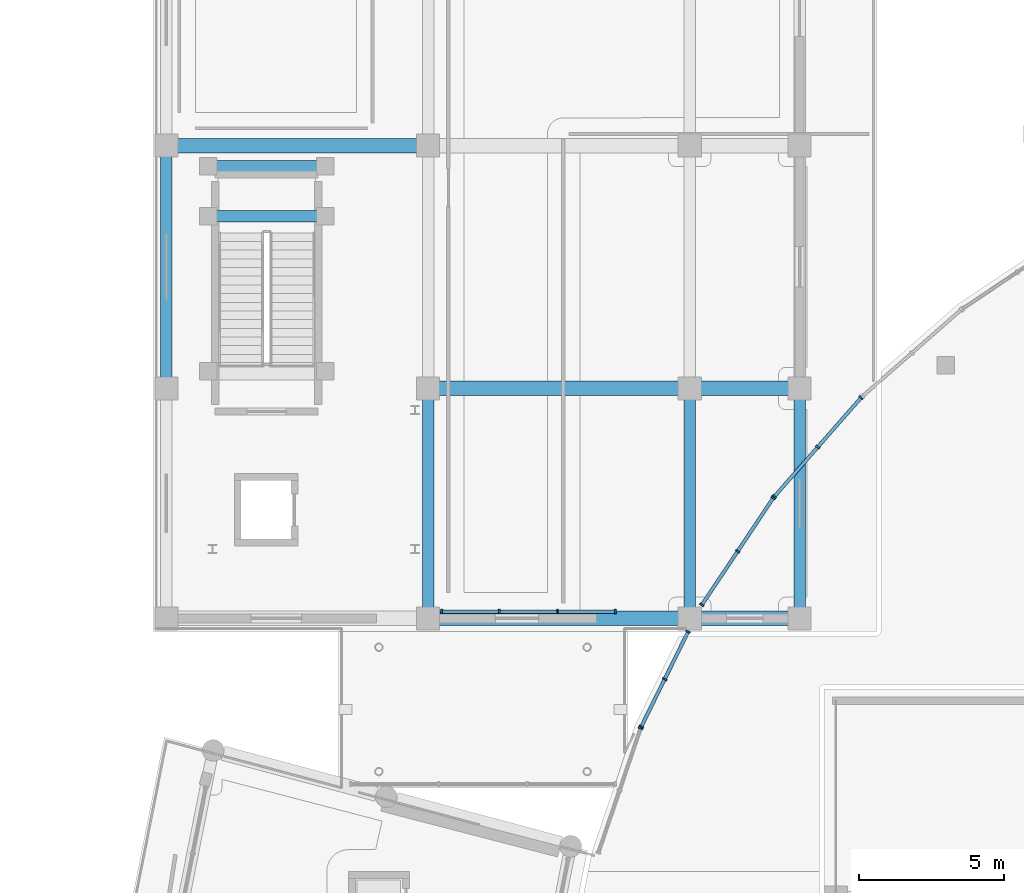
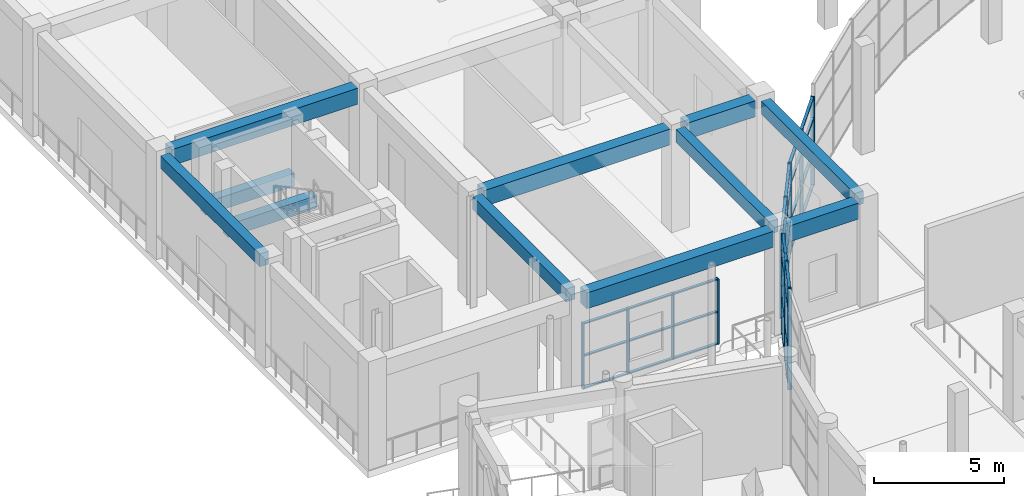
# One storey, part 35 of 99: 47 members, 11 beams, 5 elements without a shape of their own.
"""IFC4 building model written with IfcOpenShell, lengths in metres."""

from ifc_helpers import new_model, si_unit, direction, frame, origin, origin_2d, place, context, subcontext, project, spatial, rectangle, extrude, material, material_profile, profile_set, type_object, element, aggregate, save


model = new_model("IFC4")

# Units and contexts
model_context = context("Model", 3, precision=1e-05, world=origin(), true_north=direction((0.0, 1.0)))
body_context = subcontext(model_context, "Body", "Model", "MODEL_VIEW")
ifc_project = project(units=[si_unit("LENGTHUNIT", "METRE"), si_unit("AREAUNIT", "SQUARE_METRE"), si_unit("VOLUMEUNIT", "CUBIC_METRE"), si_unit("PLANEANGLEUNIT", "RADIAN"), si_unit("MASSUNIT", "GRAM", prefix="KILO")], contexts=[model_context])

# Site, building, storey
site_placement = place(None, origin())
site = spatial("IfcSite", under=ifc_project, at=site_placement, CompositionType="ELEMENT")
building_placement = place(site_placement, origin())
building = spatial("IfcBuilding", under=site, at=building_placement, Name="Saryqyr Civic Hall", CompositionType="ELEMENT")
storey_placement = place(building_placement, origin())
storey = spatial("IfcBuildingStorey", under=building, at=storey_placement, Name="L00", CompositionType="ELEMENT", Elevation=0.0)

# Curtain wall, members
ifc_material_1 = material(Name="Anodised aluminium and triple low-E glass", Category="aluminium")
curtain_wall_type_1 = type_object("IfcCurtainWallType", Name="ENV-CW-STD-32", PredefinedType="NOTDEFINED", material=ifc_material_1)
curtain_wall_1_placement = place(storey_placement, origin())
curtain_wall_1 = element("IfcCurtainWall", 1, at=curtain_wall_1_placement, inside=storey, type_object=curtain_wall_type_1, Name="Curtain wall V2-PERIM-CW-L00-18", PredefinedType="NOTDEFINED")
ifc_material_2 = material(Name="Anodised aluminium", Category="aluminium")
ifc_material_profile_1 = material_profile(ifc_material_2, rectangle(XDim=0.06005859375, YDim=0.159912109375, at=origin_2d()), Name="ALU MULLION 60x160")
ifc_profile_set_1 = profile_set([ifc_material_profile_1], Name="Anodised aluminium")
member_type_1 = type_object("IfcMemberType", Name="ENV-CW-MUL-180", PredefinedType="MULLION", material=ifc_profile_set_1)
member_1_placement = place(storey_placement, frame((29.077880859375, 105.463134765625, 0.0), z_axis=(0.0, 0.0, 1.0), x_axis=(0.659347854951, 0.751838018573, 0.0)))
member_1 = element("IfcMember", 2, at=member_1_placement, type_object=member_type_1, Name="CW-32 mullion 1", PredefinedType="MULLION", context=body_context, shape_type="SweptSolid", body=[
    extrude(rectangle(XDim=0.06005859375, YDim=0.159912109375, at=origin_2d()), origin(), (0.0, 0.0, 1.0), 4.195068359375),
])
member_2_placement = place(storey_placement, frame((30.576904296875, 107.17236328125, 0.0), z_axis=(0.0, 0.0, 1.0), x_axis=(0.659347854951, 0.751838018573, 0.0)))
member_2 = element("IfcMember", 3, at=member_2_placement, type_object=member_type_1, Name="CW-32 mullion 2", PredefinedType="MULLION", context=body_context, shape_type="SweptSolid", body=[
    extrude(rectangle(XDim=0.06005859375, YDim=0.159912109375, at=origin_2d()), origin(), (0.0, 0.0, 1.0), 4.195068359375),
])
member_3_placement = place(storey_placement, frame((32.075927734375, 108.8818359375, 0.0), z_axis=(0.0, 0.0, 1.0), x_axis=(0.659347854951, 0.751838018573, 0.0)))
member_3 = element("IfcMember", 4, at=member_3_placement, type_object=member_type_1, Name="CW-32 mullion 3", PredefinedType="MULLION", context=body_context, shape_type="SweptSolid", body=[
    extrude(rectangle(XDim=0.06005859375, YDim=0.159912109375, at=origin_2d()), origin(), (0.0, 0.0, 1.0), 4.195068359375),
])

curtain_wall_type_2 = type_object("IfcCurtainWallType", Name="ENV-CW-STD-12", PredefinedType="NOTDEFINED", material=ifc_material_1)
curtain_wall_2_placement = place(storey_placement, origin())
curtain_wall_2 = element("IfcCurtainWall", 5, at=curtain_wall_2_placement, inside=storey, type_object=curtain_wall_type_2, Name="Curtain wall V2-PERIM-CW-L00-19", PredefinedType="NOTDEFINED")
member_4_placement = place(storey_placement, frame((26.56884765625, 101.71484375, 0.0), z_axis=(0.0, 0.0, 1.0), x_axis=(0.55555938193, 0.831476862666, 0.0)))
member_4 = element("IfcMember", 6, at=member_4_placement, type_object=member_type_1, Name="CW-12 mullion 1", PredefinedType="MULLION", context=body_context, shape_type="SweptSolid", body=[
    extrude(rectangle(XDim=0.06005859375, YDim=0.159912109375, at=origin_2d()), origin(), (0.0, 0.0, 1.0), 4.195068359375),
])
member_5_placement = place(storey_placement, frame((27.80517578125, 103.565185546875, 0.0), z_axis=(0.0, 0.0, 1.0), x_axis=(0.55555938193, 0.831476862666, 0.0)))
member_5 = element("IfcMember", 7, at=member_5_placement, type_object=member_type_1, Name="CW-12 mullion 2", PredefinedType="MULLION", context=body_context, shape_type="SweptSolid", body=[
    extrude(rectangle(XDim=0.06005859375, YDim=0.159912109375, at=origin_2d()), origin(), (0.0, 0.0, 1.0), 4.195068359375),
])
member_6_placement = place(storey_placement, frame((29.04150390625, 105.415771484375, 0.0), z_axis=(0.0, 0.0, 1.0), x_axis=(0.55555938193, 0.831476862666, 0.0)))
member_6 = element("IfcMember", 8, at=member_6_placement, type_object=member_type_1, Name="CW-12 mullion 3", PredefinedType="MULLION", context=body_context, shape_type="SweptSolid", body=[
    extrude(rectangle(XDim=0.06005859375, YDim=0.159912109375, at=origin_2d()), origin(), (0.0, 0.0, 1.0), 4.195068359375),
])

curtain_wall_type_3 = type_object("IfcCurtainWallType", Name="ENV-CW-STD-43", PredefinedType="NOTDEFINED", material=ifc_material_1)
curtain_wall_3_placement = place(storey_placement, origin())
curtain_wall_3 = element("IfcCurtainWall", 9, at=curtain_wall_3_placement, inside=storey, type_object=curtain_wall_type_3, Name="Curtain wall V2-PERIM-CW-L00-20", PredefinedType="NOTDEFINED")
member_7_placement = place(storey_placement, frame((24.474365234375, 97.505126953125, 0.0), z_axis=(0.0, 0.0, 1.0), x_axis=(0.442286255428, 0.896873942235, 0.0)))
member_7 = element("IfcMember", 10, at=member_7_placement, type_object=member_type_1, Name="CW-43 mullion 1", PredefinedType="MULLION", context=body_context, shape_type="SweptSolid", body=[
    extrude(rectangle(XDim=0.06005859375, YDim=0.159912109375, at=origin_2d()), origin(), (0.0, 0.0, 1.0), 4.75),
])
member_8_placement = place(storey_placement, frame((25.282470703125, 99.14404296875, 0.0), z_axis=(0.0, 0.0, 1.0), x_axis=(0.442286255428, 0.896873942235, 0.0)))
member_8 = element("IfcMember", 11, at=member_8_placement, type_object=member_type_1, Name="CW-43 mullion 2", PredefinedType="MULLION", context=body_context, shape_type="SweptSolid", body=[
    extrude(rectangle(XDim=0.06005859375, YDim=0.159912109375, at=origin_2d()), origin(), (0.0, 0.0, 1.0), 4.75),
])
member_9_placement = place(storey_placement, frame((26.0908203125, 100.783203125, 0.0), z_axis=(0.0, 0.0, 1.0), x_axis=(0.442286255428, 0.896873942235, 0.0)))
member_9 = element("IfcMember", 12, at=member_9_placement, type_object=member_type_1, Name="CW-43 mullion 3", PredefinedType="MULLION", context=body_context, shape_type="SweptSolid", body=[
    extrude(rectangle(XDim=0.06005859375, YDim=0.159912109375, at=origin_2d()), origin(), (0.0, 0.0, 1.0), 4.75),
])

# Curtain wall, member
curtain_wall_type_4 = type_object("IfcCurtainWallType", Name="ENV-CW-STD-67", PredefinedType="NOTDEFINED", material=ifc_material_1)
curtain_wall_4_placement = place(storey_placement, origin())
curtain_wall_4 = element("IfcCurtainWall", 13, at=curtain_wall_4_placement, inside=storey, type_object=curtain_wall_type_4, Name="Curtain wall V2-PERIM-CW-L00-21", PredefinedType="NOTDEFINED")
member_10_placement = place(storey_placement, frame((24.451416015625, 97.44970703125, 0.0), z_axis=(0.0, 0.0, 1.0), x_axis=(0.321445459178, 0.946928094828, 0.0)))
member_10 = element("IfcMember", 14, at=member_10_placement, type_object=member_type_1, Name="CW-67 mullion 3", PredefinedType="MULLION", context=body_context, shape_type="SweptSolid", body=[
    extrude(rectangle(XDim=0.06005859375, YDim=0.159912109375, at=origin_2d()), origin(), (0.0, 0.0, 1.0), 4.75),
])
aggregate(curtain_wall_4, [member_10])

# Curtain wall, members
curtain_wall_type_5 = type_object("IfcCurtainWallType", Name="ENV-CW-STD-83", PredefinedType="NOTDEFINED", material=ifc_material_1)
curtain_wall_5_placement = place(storey_placement, origin())
curtain_wall_5 = element("IfcCurtainWall", 15, at=curtain_wall_5_placement, inside=storey, type_object=curtain_wall_type_5, Name="Curtain wall BR-NW-CW2-L00", PredefinedType="NOTDEFINED")
member_11_placement = place(storey_placement, frame((17.570068359375, 101.47998046875, 0.0), z_axis=(0.0, 0.0, 1.0), x_axis=(1.0, 0.0, 0.0)))
member_11 = element("IfcMember", 16, at=member_11_placement, type_object=member_type_1, Name="CW-83 mullion 1", PredefinedType="MULLION", context=body_context, shape_type="SweptSolid", body=[
    extrude(rectangle(XDim=0.06005859375, YDim=0.159912109375, at=origin_2d()), origin(), (0.0, 0.0, 1.0), 3.10009765625),
])
member_12_placement = place(storey_placement, frame((19.56005859375, 101.47998046875, 0.0), z_axis=(0.0, 0.0, 1.0), x_axis=(1.0, 0.0, 0.0)))
member_12 = element("IfcMember", 17, at=member_12_placement, type_object=member_type_1, Name="CW-83 mullion 2", PredefinedType="MULLION", context=body_context, shape_type="SweptSolid", body=[
    extrude(rectangle(XDim=0.06005859375, YDim=0.159912109375, at=origin_2d()), origin(), (0.0, 0.0, 1.0), 3.10009765625),
])
member_13_placement = place(storey_placement, frame((21.580078125, 101.47998046875, 0.0), z_axis=(0.0, 0.0, 1.0), x_axis=(1.0, 0.0, 0.0)))
member_13 = element("IfcMember", 18, at=member_13_placement, type_object=member_type_1, Name="CW-83 mullion 3", PredefinedType="MULLION", context=body_context, shape_type="SweptSolid", body=[
    extrude(rectangle(XDim=0.06005859375, YDim=0.159912109375, at=origin_2d()), origin(), (0.0, 0.0, 1.0), 3.10009765625),
])
member_14_placement = place(storey_placement, frame((23.570068359375, 101.47998046875, 0.0), z_axis=(0.0, 0.0, 1.0), x_axis=(1.0, 0.0, 0.0)))
member_14 = element("IfcMember", 19, at=member_14_placement, type_object=member_type_1, Name="CW-83 mullion 4", PredefinedType="MULLION", context=body_context, shape_type="SweptSolid", body=[
    extrude(rectangle(XDim=0.06005859375, YDim=0.159912109375, at=origin_2d()), origin(), (0.0, 0.0, 1.0), 3.10009765625),
])

# Member
ifc_material_profile_2 = material_profile(ifc_material_2, rectangle(XDim=0.1201171875, YDim=0.06005859375, at=origin_2d()), Name="ALU TRANSOM 120x60")
ifc_profile_set_2 = profile_set([ifc_material_profile_2], Name="Anodised aluminium")
member_type_2 = type_object("IfcMemberType", Name="ENV-CW-TRN-150", PredefinedType="USERDEFINED", material=ifc_profile_set_2)
member_15_placement = place(storey_placement, frame((29.09765625, 105.485595703125, 0.030029296875), z_axis=(0.659324084984, 0.751858863723, 0.0), x_axis=(-0.751858863723, 0.659324084984, 0.0)))
member_15 = element("IfcMember", 20, at=member_15_placement, type_object=member_type_2, Name="CW-32 transom 1.1", ObjectType="TRANSOM", PredefinedType="USERDEFINED", context=body_context, shape_type="SweptSolid", body=[
    extrude(rectangle(XDim=0.1201171875, YDim=0.06005859375, at=origin_2d()), origin(), (0.0, 0.0, 1.0), 2.213623046875),
])

member_16_placement = place(storey_placement, frame((29.09765625, 105.485595703125, 1.510009765625), z_axis=(0.659324084984, 0.751858863723, 0.0), x_axis=(-0.751858863723, 0.659324084984, 0.0)))
member_16 = element("IfcMember", 21, at=member_16_placement, type_object=member_type_2, Name="CW-32 transom 1.2", ObjectType="TRANSOM", PredefinedType="USERDEFINED", context=body_context, shape_type="SweptSolid", body=[
    extrude(rectangle(XDim=0.1201171875, YDim=0.06005859375, at=origin_2d()), origin(), (0.0, 0.0, 1.0), 2.213623046875),
])

member_17_placement = place(storey_placement, frame((29.09765625, 105.485595703125, 3.18798828125), z_axis=(0.659324084984, 0.751858863723, 0.0), x_axis=(-0.751858863723, 0.659324084984, 0.0)))
member_17 = element("IfcMember", 22, at=member_17_placement, type_object=member_type_2, Name="CW-32 transom 1.3", ObjectType="TRANSOM", PredefinedType="USERDEFINED", context=body_context, shape_type="SweptSolid", body=[
    extrude(rectangle(XDim=0.1201171875, YDim=0.06005859375, at=origin_2d()), origin(), (0.0, 0.0, 1.0), 2.213623046875),
])

member_18_placement = place(storey_placement, frame((29.09765625, 105.485595703125, 4.1650390625), z_axis=(0.659324084984, 0.751858863723, 0.0), x_axis=(-0.751858863723, 0.659324084984, 0.0)))
member_18 = element("IfcMember", 23, at=member_18_placement, type_object=member_type_2, Name="CW-32 transom 1.4", ObjectType="TRANSOM", PredefinedType="USERDEFINED", context=body_context, shape_type="SweptSolid", body=[
    extrude(rectangle(XDim=0.1201171875, YDim=0.06005859375, at=origin_2d()), origin(), (0.0, 0.0, 1.0), 2.213623046875),
])

member_19_placement = place(storey_placement, frame((30.5966796875, 107.195068359375, 0.030029296875), z_axis=(0.659378761453, 0.751810913025, 0.0), x_axis=(-0.751810913025, 0.659378761453, 0.0)))
member_19 = element("IfcMember", 24, at=member_19_placement, type_object=member_type_2, Name="CW-32 transom 2.1", ObjectType="TRANSOM", PredefinedType="USERDEFINED", context=body_context, shape_type="SweptSolid", body=[
    extrude(rectangle(XDim=0.1201171875, YDim=0.06005859375, at=origin_2d()), origin(), (0.0, 0.0, 1.0), 2.21337890625),
])

member_20_placement = place(storey_placement, frame((30.5966796875, 107.195068359375, 1.510009765625), z_axis=(0.659378761453, 0.751810913025, 0.0), x_axis=(-0.751810913025, 0.659378761453, 0.0)))
member_20 = element("IfcMember", 25, at=member_20_placement, type_object=member_type_2, Name="CW-32 transom 2.2", ObjectType="TRANSOM", PredefinedType="USERDEFINED", context=body_context, shape_type="SweptSolid", body=[
    extrude(rectangle(XDim=0.1201171875, YDim=0.06005859375, at=origin_2d()), origin(), (0.0, 0.0, 1.0), 2.21337890625),
])

member_21_placement = place(storey_placement, frame((30.5966796875, 107.195068359375, 3.18798828125), z_axis=(0.659378761453, 0.751810913025, 0.0), x_axis=(-0.751810913025, 0.659378761453, 0.0)))
member_21 = element("IfcMember", 26, at=member_21_placement, type_object=member_type_2, Name="CW-32 transom 2.3", ObjectType="TRANSOM", PredefinedType="USERDEFINED", context=body_context, shape_type="SweptSolid", body=[
    extrude(rectangle(XDim=0.1201171875, YDim=0.06005859375, at=origin_2d()), origin(), (0.0, 0.0, 1.0), 2.21337890625),
])

member_22_placement = place(storey_placement, frame((30.5966796875, 107.195068359375, 4.1650390625), z_axis=(0.659378761453, 0.751810913025, 0.0), x_axis=(-0.751810913025, 0.659378761453, 0.0)))
member_22 = element("IfcMember", 27, at=member_22_placement, type_object=member_type_2, Name="CW-32 transom 2.4", ObjectType="TRANSOM", PredefinedType="USERDEFINED", context=body_context, shape_type="SweptSolid", body=[
    extrude(rectangle(XDim=0.1201171875, YDim=0.06005859375, at=origin_2d()), origin(), (0.0, 0.0, 1.0), 2.21337890625),
])

aggregate(curtain_wall_1, [member_1, member_2, member_3, member_15, member_16, member_17, member_18, member_19, member_20, member_21, member_22])

member_23_placement = place(storey_placement, frame((26.58544921875, 101.739990234375, 0.030029296875), z_axis=(0.555558596258, 0.83147738762, 0.0), x_axis=(-0.83147738762, 0.555558596258, 0.0)))
member_23 = element("IfcMember", 28, at=member_23_placement, type_object=member_type_2, Name="CW-12 transom 1.1", ObjectType="TRANSOM", PredefinedType="USERDEFINED", context=body_context, shape_type="SweptSolid", body=[
    extrude(rectangle(XDim=0.1201171875, YDim=0.06005859375, at=origin_2d()), origin(), (0.0, 0.0, 1.0), 2.165283203125),
])

member_24_placement = place(storey_placement, frame((26.58544921875, 101.739990234375, 1.510009765625), z_axis=(0.555558596258, 0.83147738762, 0.0), x_axis=(-0.83147738762, 0.555558596258, 0.0)))
member_24 = element("IfcMember", 29, at=member_24_placement, type_object=member_type_2, Name="CW-12 transom 1.2", ObjectType="TRANSOM", PredefinedType="USERDEFINED", context=body_context, shape_type="SweptSolid", body=[
    extrude(rectangle(XDim=0.1201171875, YDim=0.06005859375, at=origin_2d()), origin(), (0.0, 0.0, 1.0), 2.165283203125),
])

member_25_placement = place(storey_placement, frame((26.58544921875, 101.739990234375, 3.18798828125), z_axis=(0.555558596258, 0.83147738762, 0.0), x_axis=(-0.83147738762, 0.555558596258, 0.0)))
member_25 = element("IfcMember", 30, at=member_25_placement, type_object=member_type_2, Name="CW-12 transom 1.3", ObjectType="TRANSOM", PredefinedType="USERDEFINED", context=body_context, shape_type="SweptSolid", body=[
    extrude(rectangle(XDim=0.1201171875, YDim=0.06005859375, at=origin_2d()), origin(), (0.0, 0.0, 1.0), 2.165283203125),
])

member_26_placement = place(storey_placement, frame((26.58544921875, 101.739990234375, 4.1650390625), z_axis=(0.555558596258, 0.83147738762, 0.0), x_axis=(-0.83147738762, 0.555558596258, 0.0)))
member_26 = element("IfcMember", 31, at=member_26_placement, type_object=member_type_2, Name="CW-12 transom 1.4", ObjectType="TRANSOM", PredefinedType="USERDEFINED", context=body_context, shape_type="SweptSolid", body=[
    extrude(rectangle(XDim=0.1201171875, YDim=0.06005859375, at=origin_2d()), origin(), (0.0, 0.0, 1.0), 2.165283203125),
])

member_27_placement = place(storey_placement, frame((27.82177734375, 103.59033203125, 0.030029296875), z_axis=(0.555558596258, 0.83147738762, 0.0), x_axis=(-0.83147738762, 0.555558596258, 0.0)))
member_27 = element("IfcMember", 32, at=member_27_placement, type_object=member_type_2, Name="CW-12 transom 2.1", ObjectType="TRANSOM", PredefinedType="USERDEFINED", context=body_context, shape_type="SweptSolid", body=[
    extrude(rectangle(XDim=0.1201171875, YDim=0.06005859375, at=origin_2d()), origin(), (0.0, 0.0, 1.0), 2.165283203125),
])

member_28_placement = place(storey_placement, frame((27.82177734375, 103.59033203125, 1.510009765625), z_axis=(0.555558596258, 0.83147738762, 0.0), x_axis=(-0.83147738762, 0.555558596258, 0.0)))
member_28 = element("IfcMember", 33, at=member_28_placement, type_object=member_type_2, Name="CW-12 transom 2.2", ObjectType="TRANSOM", PredefinedType="USERDEFINED", context=body_context, shape_type="SweptSolid", body=[
    extrude(rectangle(XDim=0.1201171875, YDim=0.06005859375, at=origin_2d()), origin(), (0.0, 0.0, 1.0), 2.165283203125),
])

member_29_placement = place(storey_placement, frame((27.82177734375, 103.59033203125, 3.18798828125), z_axis=(0.555558596258, 0.83147738762, 0.0), x_axis=(-0.83147738762, 0.555558596258, 0.0)))
member_29 = element("IfcMember", 34, at=member_29_placement, type_object=member_type_2, Name="CW-12 transom 2.3", ObjectType="TRANSOM", PredefinedType="USERDEFINED", context=body_context, shape_type="SweptSolid", body=[
    extrude(rectangle(XDim=0.1201171875, YDim=0.06005859375, at=origin_2d()), origin(), (0.0, 0.0, 1.0), 2.165283203125),
])

member_30_placement = place(storey_placement, frame((27.82177734375, 103.59033203125, 4.1650390625), z_axis=(0.555558596258, 0.83147738762, 0.0), x_axis=(-0.83147738762, 0.555558596258, 0.0)))
member_30 = element("IfcMember", 35, at=member_30_placement, type_object=member_type_2, Name="CW-12 transom 2.4", ObjectType="TRANSOM", PredefinedType="USERDEFINED", context=body_context, shape_type="SweptSolid", body=[
    extrude(rectangle(XDim=0.1201171875, YDim=0.06005859375, at=origin_2d()), origin(), (0.0, 0.0, 1.0), 2.165283203125),
])

aggregate(curtain_wall_2, [member_4, member_5, member_6, member_23, member_24, member_25, member_26, member_27, member_28, member_29, member_30])

member_31_placement = place(storey_placement, frame((24.487548828125, 97.531982421875, 0.030029296875), z_axis=(0.442289440065, 0.896872371749, 0.0), x_axis=(-0.896872371749, 0.442289440065, 0.0)))
member_31 = element("IfcMember", 36, at=member_31_placement, type_object=member_type_2, Name="CW-43 transom 1.1", ObjectType="TRANSOM", PredefinedType="USERDEFINED", context=body_context, shape_type="SweptSolid", body=[
    extrude(rectangle(XDim=0.1201171875, YDim=0.06005859375, at=origin_2d()), origin(), (0.0, 0.0, 1.0), 1.767578125),
])

member_32_placement = place(storey_placement, frame((24.487548828125, 97.531982421875, 1.7099609375), z_axis=(0.442289440065, 0.896872371749, 0.0), x_axis=(-0.896872371749, 0.442289440065, 0.0)))
member_32 = element("IfcMember", 37, at=member_32_placement, type_object=member_type_2, Name="CW-43 transom 1.2", ObjectType="TRANSOM", PredefinedType="USERDEFINED", context=body_context, shape_type="SweptSolid", body=[
    extrude(rectangle(XDim=0.1201171875, YDim=0.06005859375, at=origin_2d()), origin(), (0.0, 0.0, 1.0), 1.767578125),
])

member_33_placement = place(storey_placement, frame((24.487548828125, 97.531982421875, 3.610107421875), z_axis=(0.442289440065, 0.896872371749, 0.0), x_axis=(-0.896872371749, 0.442289440065, 0.0)))
member_33 = element("IfcMember", 38, at=member_33_placement, type_object=member_type_2, Name="CW-43 transom 1.3", ObjectType="TRANSOM", PredefinedType="USERDEFINED", context=body_context, shape_type="SweptSolid", body=[
    extrude(rectangle(XDim=0.1201171875, YDim=0.06005859375, at=origin_2d()), origin(), (0.0, 0.0, 1.0), 1.767578125),
])

member_34_placement = place(storey_placement, frame((24.487548828125, 97.531982421875, 4.719970703125), z_axis=(0.442289440065, 0.896872371749, 0.0), x_axis=(-0.896872371749, 0.442289440065, 0.0)))
member_34 = element("IfcMember", 39, at=member_34_placement, type_object=member_type_2, Name="CW-43 transom 1.4", ObjectType="TRANSOM", PredefinedType="USERDEFINED", context=body_context, shape_type="SweptSolid", body=[
    extrude(rectangle(XDim=0.1201171875, YDim=0.06005859375, at=origin_2d()), origin(), (0.0, 0.0, 1.0), 1.767578125),
])

member_35_placement = place(storey_placement, frame((25.2958984375, 99.1708984375, 0.030029296875), z_axis=(0.442289440065, 0.896872371749, 0.0), x_axis=(-0.896872371749, 0.442289440065, 0.0)))
member_35 = element("IfcMember", 40, at=member_35_placement, type_object=member_type_2, Name="CW-43 transom 2.1", ObjectType="TRANSOM", PredefinedType="USERDEFINED", context=body_context, shape_type="SweptSolid", body=[
    extrude(rectangle(XDim=0.1201171875, YDim=0.06005859375, at=origin_2d()), origin(), (0.0, 0.0, 1.0), 1.767578125),
])

member_36_placement = place(storey_placement, frame((25.2958984375, 99.1708984375, 1.7099609375), z_axis=(0.442289440065, 0.896872371749, 0.0), x_axis=(-0.896872371749, 0.442289440065, 0.0)))
member_36 = element("IfcMember", 41, at=member_36_placement, type_object=member_type_2, Name="CW-43 transom 2.2", ObjectType="TRANSOM", PredefinedType="USERDEFINED", context=body_context, shape_type="SweptSolid", body=[
    extrude(rectangle(XDim=0.1201171875, YDim=0.06005859375, at=origin_2d()), origin(), (0.0, 0.0, 1.0), 1.767578125),
])

member_37_placement = place(storey_placement, frame((25.2958984375, 99.1708984375, 3.610107421875), z_axis=(0.442289440065, 0.896872371749, 0.0), x_axis=(-0.896872371749, 0.442289440065, 0.0)))
member_37 = element("IfcMember", 42, at=member_37_placement, type_object=member_type_2, Name="CW-43 transom 2.3", ObjectType="TRANSOM", PredefinedType="USERDEFINED", context=body_context, shape_type="SweptSolid", body=[
    extrude(rectangle(XDim=0.1201171875, YDim=0.06005859375, at=origin_2d()), origin(), (0.0, 0.0, 1.0), 1.767578125),
])

member_38_placement = place(storey_placement, frame((25.2958984375, 99.1708984375, 4.719970703125), z_axis=(0.442289440065, 0.896872371749, 0.0), x_axis=(-0.896872371749, 0.442289440065, 0.0)))
member_38 = element("IfcMember", 43, at=member_38_placement, type_object=member_type_2, Name="CW-43 transom 2.4", ObjectType="TRANSOM", PredefinedType="USERDEFINED", context=body_context, shape_type="SweptSolid", body=[
    extrude(rectangle(XDim=0.1201171875, YDim=0.06005859375, at=origin_2d()), origin(), (0.0, 0.0, 1.0), 1.767578125),
])

aggregate(curtain_wall_3, [member_7, member_8, member_9, member_31, member_32, member_33, member_34, member_35, member_36, member_37, member_38])

member_39_placement = place(storey_placement, frame((17.60009765625, 101.47998046875, 0.030029296875), z_axis=(1.0, 0.0, 0.0), x_axis=(0.0, 1.0, 0.0)))
member_39 = element("IfcMember", 44, at=member_39_placement, type_object=member_type_2, Name="CW-83 transom 1.1", ObjectType="TRANSOM", PredefinedType="USERDEFINED", context=body_context, shape_type="SweptSolid", body=[
    extrude(rectangle(XDim=0.1201171875, YDim=0.06005859375, at=origin_2d()), origin(), (0.0, 0.0, 1.0), 1.929931640625),
])

member_40_placement = place(storey_placement, frame((17.60009765625, 101.47998046875, 1.550048828125), z_axis=(1.0, 0.0, 0.0), x_axis=(0.0, 1.0, 0.0)))
member_40 = element("IfcMember", 45, at=member_40_placement, type_object=member_type_2, Name="CW-83 transom 1.2", ObjectType="TRANSOM", PredefinedType="USERDEFINED", context=body_context, shape_type="SweptSolid", body=[
    extrude(rectangle(XDim=0.1201171875, YDim=0.06005859375, at=origin_2d()), origin(), (0.0, 0.0, 1.0), 1.929931640625),
])

member_41_placement = place(storey_placement, frame((17.60009765625, 101.47998046875, 3.070068359375), z_axis=(1.0, 0.0, 0.0), x_axis=(0.0, 1.0, 0.0)))
member_41 = element("IfcMember", 46, at=member_41_placement, type_object=member_type_2, Name="CW-83 transom 1.3", ObjectType="TRANSOM", PredefinedType="USERDEFINED", context=body_context, shape_type="SweptSolid", body=[
    extrude(rectangle(XDim=0.1201171875, YDim=0.06005859375, at=origin_2d()), origin(), (0.0, 0.0, 1.0), 1.929931640625),
])

member_42_placement = place(storey_placement, frame((19.590087890625, 101.47998046875, 0.030029296875), z_axis=(1.0, 0.0, 0.0), x_axis=(0.0, 1.0, 0.0)))
member_42 = element("IfcMember", 47, at=member_42_placement, type_object=member_type_2, Name="CW-83 transom 2.1", ObjectType="TRANSOM", PredefinedType="USERDEFINED", context=body_context, shape_type="SweptSolid", body=[
    extrude(rectangle(XDim=0.1201171875, YDim=0.06005859375, at=origin_2d()), origin(), (0.0, 0.0, 1.0), 1.9599609375),
])

member_43_placement = place(storey_placement, frame((19.590087890625, 101.47998046875, 1.550048828125), z_axis=(1.0, 0.0, 0.0), x_axis=(0.0, 1.0, 0.0)))
member_43 = element("IfcMember", 48, at=member_43_placement, type_object=member_type_2, Name="CW-83 transom 2.2", ObjectType="TRANSOM", PredefinedType="USERDEFINED", context=body_context, shape_type="SweptSolid", body=[
    extrude(rectangle(XDim=0.1201171875, YDim=0.06005859375, at=origin_2d()), origin(), (0.0, 0.0, 1.0), 1.9599609375),
])

member_44_placement = place(storey_placement, frame((19.590087890625, 101.47998046875, 3.070068359375), z_axis=(1.0, 0.0, 0.0), x_axis=(0.0, 1.0, 0.0)))
member_44 = element("IfcMember", 49, at=member_44_placement, type_object=member_type_2, Name="CW-83 transom 2.3", ObjectType="TRANSOM", PredefinedType="USERDEFINED", context=body_context, shape_type="SweptSolid", body=[
    extrude(rectangle(XDim=0.1201171875, YDim=0.06005859375, at=origin_2d()), origin(), (0.0, 0.0, 1.0), 1.9599609375),
])

member_45_placement = place(storey_placement, frame((21.610107421875, 101.47998046875, 0.030029296875), z_axis=(1.0, 0.0, 0.0), x_axis=(0.0, 1.0, 0.0)))
member_45 = element("IfcMember", 50, at=member_45_placement, type_object=member_type_2, Name="CW-83 transom 3.1", ObjectType="TRANSOM", PredefinedType="USERDEFINED", context=body_context, shape_type="SweptSolid", body=[
    extrude(rectangle(XDim=0.1201171875, YDim=0.06005859375, at=origin_2d()), origin(), (0.0, 0.0, 1.0), 1.929931640625),
])

member_46_placement = place(storey_placement, frame((21.610107421875, 101.47998046875, 1.550048828125), z_axis=(1.0, 0.0, 0.0), x_axis=(0.0, 1.0, 0.0)))
member_46 = element("IfcMember", 51, at=member_46_placement, type_object=member_type_2, Name="CW-83 transom 3.2", ObjectType="TRANSOM", PredefinedType="USERDEFINED", context=body_context, shape_type="SweptSolid", body=[
    extrude(rectangle(XDim=0.1201171875, YDim=0.06005859375, at=origin_2d()), origin(), (0.0, 0.0, 1.0), 1.929931640625),
])

member_47_placement = place(storey_placement, frame((21.610107421875, 101.47998046875, 3.070068359375), z_axis=(1.0, 0.0, 0.0), x_axis=(0.0, 1.0, 0.0)))
member_47 = element("IfcMember", 52, at=member_47_placement, type_object=member_type_2, Name="CW-83 transom 3.3", ObjectType="TRANSOM", PredefinedType="USERDEFINED", context=body_context, shape_type="SweptSolid", body=[
    extrude(rectangle(XDim=0.1201171875, YDim=0.06005859375, at=origin_2d()), origin(), (0.0, 0.0, 1.0), 1.929931640625),
])

aggregate(curtain_wall_5, [member_11, member_12, member_13, member_14, member_39, member_40, member_41, member_42, member_43, member_44, member_45, member_46, member_47])

# Beams
ifc_material_3 = material(Name="Concrete C35/45", Category="concrete")
ifc_material_profile_3 = material_profile(ifc_material_3, rectangle(XDim=0.39990234375, YDim=0.60009765625, at=origin_2d()), Name="RC 400x600")
ifc_profile_set_3 = profile_set([ifc_material_profile_3], Name="Concrete C35/45")
beam_type_1 = type_object("IfcBeamType", Name="STR-BM-RC400x600", PredefinedType="BEAM", material=ifc_profile_set_3)
beam_1_placement = place(storey_placement, frame((8.050048828125, 109.574951171875, 4.52001953125), z_axis=(0.0, 1.0, 0.0), x_axis=(-1.0, 0.0, 0.0)))
element("IfcBeam", 53, at=beam_1_placement, inside=storey, type_object=beam_type_1, Name="Beam V3-BM-NS-1-2-L00", PredefinedType="BEAM", context=body_context, shape_type="SweptSolid", body=[
    extrude(rectangle(XDim=0.39990234375, YDim=0.60009765625, at=origin_2d()), origin(), (0.0, 0.0, 1.0), 7.650146484375),
])
for number, where, z_axis, x_axis, name in (
    (54, (17.10009765625, 101.625, 4.52001953125), (0.0, 1.0, 0.0), (-1.0, 0.0, 0.0), "Beam V3-BM-NS-2-1-L00"),
    (55, (26.14990234375, 101.625, 4.52001953125), (0.0, 1.0, 0.0), (-1.0, 0.0, 0.0), "Beam V3-BM-NS-3-1-L00"),
    (56, (29.949951171875, 101.625, 4.52001953125), (0.0, 1.0, 0.0), (-1.0, 0.0, 0.0), "Beam V3-BM-NS-4-1-L00"),
):
    element("IfcBeam", number, at=place(storey_placement, frame(where, z_axis=z_axis, x_axis=x_axis)), inside=storey, type_object=beam_type_1, Name=name, PredefinedType="BEAM", context=body_context, shape_type="SweptSolid", body=[
        extrude(rectangle(XDim=0.39990234375, YDim=0.60009765625, at=origin_2d()), origin(), (0.0, 0.0, 1.0), 7.199951171875),
    ])
for number, where, z_axis, x_axis, name in (
    (57, (13.5, 115.14990234375, 2.050048828125), (-1.0, 0.0, 0.0), (0.0, -1.0, 0.0), "Stair half-landing support beam ST-3-LND1-L00"),
    (58, (13.5, 116.8798828125, 2.050048828125), (-1.0, 0.0, 0.0), (0.0, -1.0, 0.0), "Stair half-landing support beam ST-3-LND2-L00"),
):
    element("IfcBeam", number, at=place(storey_placement, frame(where, z_axis=z_axis, x_axis=x_axis)), inside=storey, type_object=beam_type_1, Name=name, PredefinedType="BEAM", context=body_context, shape_type="SweptSolid", body=[
        extrude(rectangle(XDim=0.39990234375, YDim=0.60009765625, at=origin_2d()), origin(), (0.0, 0.0, 1.0), 3.9599609375),
    ])
ifc_material_4 = material(Name="Concrete C40/50", Category="concrete")
ifc_material_profile_4 = material_profile(ifc_material_4, rectangle(XDim=0.5, YDim=0.75, at=origin_2d()), Name="RC 500x750")
ifc_profile_set_4 = profile_set([ifc_material_profile_4], Name="Concrete C40/50")
beam_type_2 = type_object("IfcBeamType", Name="STR-BM-RC500x750", PredefinedType="BEAM", material=ifc_profile_set_4)
beam_2_placement = place(storey_placement, frame((17.47509765625, 101.25, 4.445068359375), z_axis=(1.0, 0.0, 0.0), x_axis=(0.0, 1.0, 0.0)))
element("IfcBeam", 59, at=beam_2_placement, inside=storey, type_object=beam_type_2, Name="Beam V3-BM-EW-1-2-L00", PredefinedType="BEAM", context=body_context, shape_type="SweptSolid", body=[
    extrude(rectangle(XDim=0.5, YDim=0.75, at=origin_2d()), origin(), (0.0, 0.0, 1.0), 8.2998046875),
])
beam_3_placement = place(storey_placement, frame((26.52490234375, 101.25, 4.445068359375), z_axis=(1.0, 0.0, 0.0), x_axis=(0.0, 1.0, 0.0)))
element("IfcBeam", 60, at=beam_3_placement, inside=storey, type_object=beam_type_2, Name="Beam V3-BM-EW-1-3-L00", PredefinedType="BEAM", context=body_context, shape_type="SweptSolid", body=[
    extrude(rectangle(XDim=0.5, YDim=0.75, at=origin_2d()), origin(), (0.0, 0.0, 1.0), 3.050048828125),
])
beam_4_placement = place(storey_placement, frame((17.47509765625, 109.199951171875, 4.445068359375), z_axis=(1.0, 0.0, 0.0), x_axis=(0.0, 1.0, 0.0)))
element("IfcBeam", 61, at=beam_4_placement, inside=storey, type_object=beam_type_2, Name="Beam V3-BM-EW-2-2-L00", PredefinedType="BEAM", context=body_context, shape_type="SweptSolid", body=[
    extrude(rectangle(XDim=0.5, YDim=0.75, at=origin_2d()), origin(), (0.0, 0.0, 1.0), 8.2998046875),
])
beam_5_placement = place(storey_placement, frame((26.52490234375, 109.199951171875, 4.445068359375), z_axis=(1.0, 0.0, 0.0), x_axis=(0.0, 1.0, 0.0)))
element("IfcBeam", 62, at=beam_5_placement, inside=storey, type_object=beam_type_2, Name="Beam V3-BM-EW-2-3-L00", PredefinedType="BEAM", context=body_context, shape_type="SweptSolid", body=[
    extrude(rectangle(XDim=0.5, YDim=0.75, at=origin_2d()), origin(), (0.0, 0.0, 1.0), 3.050048828125),
])
beam_6_placement = place(storey_placement, frame((8.425048828125, 117.60009765625, 4.445068359375), z_axis=(1.0, 0.0, 0.0), x_axis=(0.0, 1.0, 0.0)))
element("IfcBeam", 63, at=beam_6_placement, inside=storey, type_object=beam_type_2, Name="Beam V3-BM-EW-3-1-L00", PredefinedType="BEAM", context=body_context, shape_type="SweptSolid", body=[
    extrude(rectangle(XDim=0.5, YDim=0.75, at=origin_2d()), origin(), (0.0, 0.0, 1.0), 8.300048828125),
])

save(model, "model.ifc")
